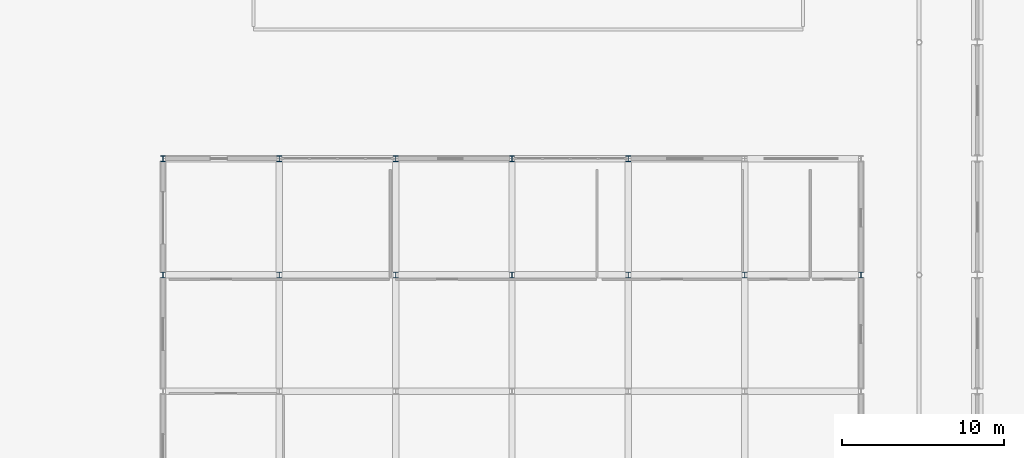
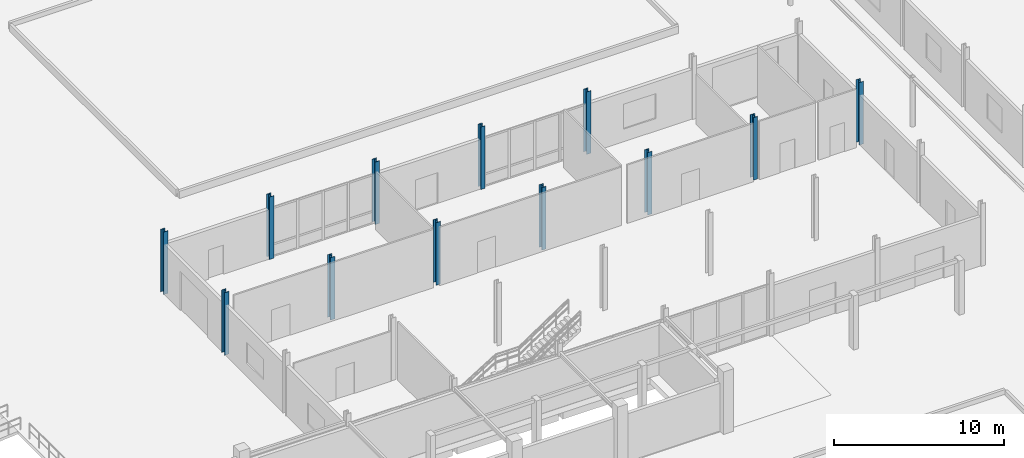
# One storey, part 8 of 139: 12 columns.
"""IFC4 building model written with IfcOpenShell, lengths in metres."""

from ifc_helpers import new_model, si_unit, direction, frame, origin, origin_2d, place, context, subcontext, project, spatial, i_section, extrude, material, material_profile, profile_set, type_object, element, save


model = new_model("IFC4")

# Units and contexts
model_context = context("Model", 3, precision=1e-05, world=origin(), true_north=direction((0.0, 1.0)))
body_context = subcontext(model_context, "Body", "Model", "MODEL_VIEW")
ifc_project = project(units=[si_unit("LENGTHUNIT", "METRE"), si_unit("AREAUNIT", "SQUARE_METRE"), si_unit("VOLUMEUNIT", "CUBIC_METRE"), si_unit("PLANEANGLEUNIT", "RADIAN"), si_unit("MASSUNIT", "GRAM", prefix="KILO")], contexts=[model_context])

# Site, building, storey
site_placement = place(None, origin())
site = spatial("IfcSite", under=ifc_project, at=site_placement, CompositionType="ELEMENT")
building_placement = place(site_placement, origin())
building = spatial("IfcBuilding", under=site, at=building_placement, Name="Suanplinth Sawtooth Commons", CompositionType="ELEMENT")
storey_placement = place(building_placement, origin())
storey = spatial("IfcBuildingStorey", under=building, at=storey_placement, Name="L00", CompositionType="ELEMENT", Elevation=0.0)

# Columns
ifc_material = material(Name="Steel S355JR", Category="steel")
ifc_material_profile = material_profile(ifc_material, i_section(OverallWidth=0.300048828125, OverallDepth=0.360107421875, WebThickness=0.012451171875, FlangeThickness=0.0224609375, at=origin_2d()), Name="HEB 360")
ifc_profile_set = profile_set([ifc_material_profile], Name="Steel S355JR")
column_type = type_object("IfcColumnType", Name="C-10", PredefinedType="COLUMN", material=ifc_profile_set)
for number, where, z_axis, x_axis, name in (
    (1, (14.39990234375, 64.800048828125, 0.0), (0.0, 0.0, 1.0), (1.0, 0.0, 0.0), "Column L00 3/K"),
    (2, (14.39990234375, 72.0, 0.0), (0.0, 0.0, 1.0), (1.0, 0.0, 0.0), "Column L00 3/L"),
    (3, (21.60009765625, 64.800048828125, 0.0), (0.0, 0.0, 1.0), (1.0, 0.0, 0.0), "Column L00 4/K"),
    (4, (21.60009765625, 72.0, 0.0), (0.0, 0.0, 1.0), (1.0, 0.0, 0.0), "Column L00 4/L"),
    (5, (28.800048828125, 64.800048828125, 0.0), (0.0, 0.0, 1.0), (1.0, 0.0, 0.0), "Column L00 5/K"),
    (6, (28.800048828125, 72.0, 0.0), (0.0, 0.0, 1.0), (1.0, 0.0, 0.0), "Column L00 5/L"),
    (7, (36.0, 64.800048828125, 0.0), (0.0, 0.0, 1.0), (1.0, 0.0, 0.0), "Column L00 6/K"),
    (8, (36.0, 72.0, 0.0), (0.0, 0.0, 1.0), (1.0, 0.0, 0.0), "Column L00 6/L"),
    (9, (43.199951171875, 64.800048828125, 0.0), (0.0, 0.0, 1.0), (1.0, 0.0, 0.0), "Column L00 7/K"),
    (10, (43.199951171875, 72.0, 0.0), (0.0, 0.0, 1.0), (1.0, 0.0, 0.0), "Column L00 7/L"),
    (11, (50.39990234375, 64.800048828125, 0.0), (0.0, 0.0, 1.0), (1.0, 0.0, 0.0), "Column L00 8/K"),
    (12, (57.60009765625, 64.800048828125, 0.0), (0.0, 0.0, 1.0), (1.0, 0.0, 0.0), "Column L00 9/K"),
):
    element("IfcColumn", number, at=place(storey_placement, frame(where, z_axis=z_axis, x_axis=x_axis)), inside=storey, type_object=column_type, Name=name, PredefinedType="COLUMN", context=body_context, shape_type="SweptSolid", body=[
        extrude(i_section(OverallWidth=0.300048828125, OverallDepth=0.360107421875, WebThickness=0.012451171875, FlangeThickness=0.0224609375, at=origin_2d()), origin(), (0.0, 0.0, 1.0), 4.5),
    ])

save(model, "model.ifc")
